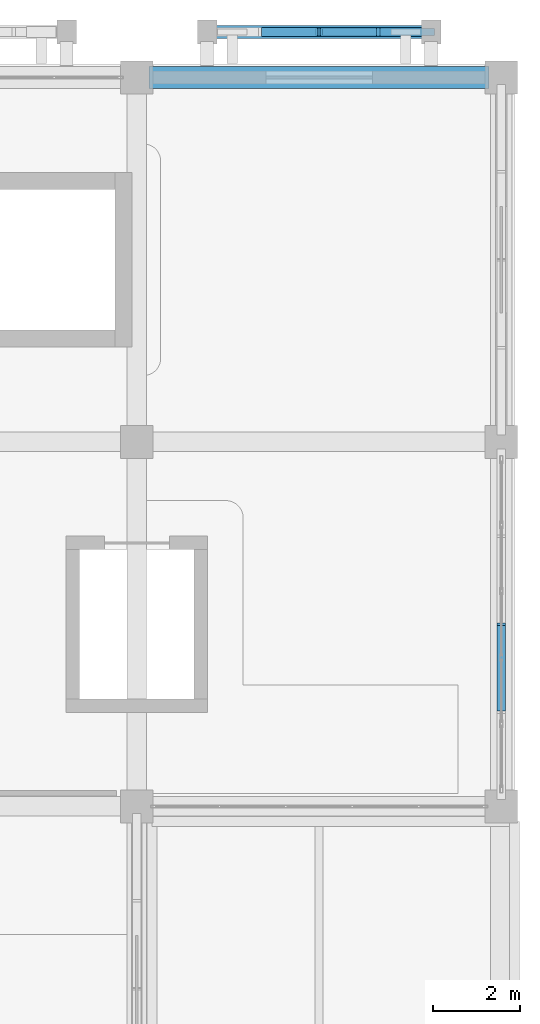
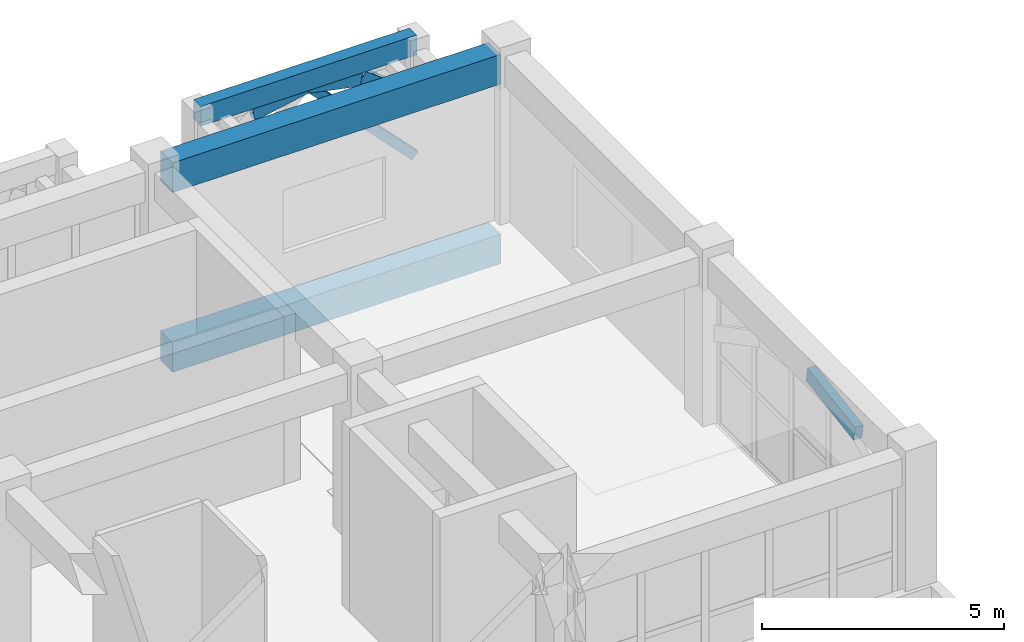
# One storey, part 82 of 114: 5 members, 3 beams.
"""IFC4 building model written with IfcOpenShell, lengths in metres."""

from ifc_helpers import new_model, si_unit, direction, frame, origin, origin_2d, place, context, subcontext, project, spatial, rectangle, extrude, material, material_profile, profile_set, type_object, element, save


model = new_model("IFC4")

# Units and contexts
model_context = context("Model", 3, precision=1e-05, world=origin(), true_north=direction((0.0, 1.0)))
body_context = subcontext(model_context, "Body", "Model", "MODEL_VIEW")
ifc_project = project(units=[si_unit("LENGTHUNIT", "METRE"), si_unit("AREAUNIT", "SQUARE_METRE"), si_unit("VOLUMEUNIT", "CUBIC_METRE"), si_unit("PLANEANGLEUNIT", "RADIAN"), si_unit("MASSUNIT", "GRAM", prefix="KILO")], contexts=[model_context])

# Site, building, storey
site_placement = place(None, origin())
site = spatial("IfcSite", under=ifc_project, at=site_placement, CompositionType="ELEMENT")
building_placement = place(site_placement, origin())
building = spatial("IfcBuilding", under=site, at=building_placement, Name="Xazarin Passage Department Store", CompositionType="ELEMENT")
storey_placement = place(building_placement, frame((0.0, 0.0, 14.39990234375)))
storey = spatial("IfcBuildingStorey", under=building, at=storey_placement, Name="L03", CompositionType="ELEMENT", Elevation=14.39990234375)

# Beams
ifc_material_1 = material(Name="Concrete C35/45", Category="concrete")
ifc_material_profile_1 = material_profile(ifc_material_1, rectangle(XDim=0.300048828125, YDim=0.5, at=origin_2d()), Name="RC 300x500")
ifc_profile_set_1 = profile_set([ifc_material_profile_1], Name="Concrete C35/45")
beam_type_1 = type_object("IfcBeamType", Name="STR-BM-LN300x500", PredefinedType="LINTEL", material=ifc_profile_set_1)
beam_placement = place(storey_placement, frame((137.6201171875, 111.050048828125, 4.25), z_axis=(1.0, 0.0, 0.0), x_axis=(0.0, 1.0, 0.0)))
element("IfcBeam", 1, at=beam_placement, inside=storey, type_object=beam_type_1, Name="L03 V4 Colonnade Spandrel Beam 044", PredefinedType="LINTEL", context=body_context, shape_type="SweptSolid", body=[
    extrude(rectangle(XDim=0.300048828125, YDim=0.5, at=origin_2d()), origin(), (0.0, 0.0, 1.0), 5.159912109375),
])
ifc_material_profile_2 = material_profile(ifc_material_1, rectangle(XDim=0.5, YDim=0.75, at=origin_2d()), Name="RC 500x750")
ifc_profile_set_2 = profile_set([ifc_material_profile_2], Name="Concrete C35/45")
beam_type_2 = type_object("IfcBeamType", Name="STR-BM-SP500x750", PredefinedType="SPANDREL", material=ifc_profile_set_2)
for number, where, z_axis, x_axis, name in (
    (2, (136.280029296875, 110.0, -0.6748046875), (1.0, 0.0, 0.0), (0.0, 1.0, 0.0), "L03 Grid Beam Q/19-20"),
    (3, (136.280029296875, 110.0, 3.864990234375), (1.0, 0.0, 0.0), (0.0, 1.0, 0.0), "L03 Grid Beam Q/19-20"),
):
    element("IfcBeam", number, at=place(storey_placement, frame(where, z_axis=z_axis, x_axis=x_axis)), inside=storey, type_object=beam_type_2, Name=name, PredefinedType="SPANDREL", context=body_context, shape_type="SweptSolid", body=[
        extrude(rectangle(XDim=0.5, YDim=0.75, at=origin_2d()), origin(), (0.0, 0.0, 1.0), 7.840087890625),
    ])

# Members
ifc_material_2 = material(Name="Concrete C40/50", Category="concrete")
ifc_material_profile_3 = material_profile(ifc_material_2, rectangle(XDim=0.199951171875, YDim=0.360107421875, at=origin_2d()), Name="RC 200x360")
ifc_profile_set_3 = profile_set([ifc_material_profile_3], Name="Concrete C40/50")
member_type_1 = type_object("IfcMemberType", Name="STR-MEM-ARC360", PredefinedType="CHORD", material=ifc_profile_set_3)
for number, where, z_axis, x_axis, name in (
    (4, (138.909912109375, 111.050048828125, 3.81640625), (0.979744705887, 0.0, 0.200250621188), (0.0, 1.0, 0.0), "L03 V4 Pierced Lattice Curved Arch 044.2"),
    (5, (140.199951171875, 111.050048828125, 4.080078125), (0.979744705887, 0.0, -0.200250621188), (0.0, 1.0, 0.0), "L03 V4 Pierced Lattice Curved Arch 044.3"),
):
    element("IfcMember", number, at=place(storey_placement, frame(where, z_axis=z_axis, x_axis=x_axis)), inside=storey, type_object=member_type_1, Name=name, PredefinedType="CHORD", context=body_context, shape_type="SweptSolid", body=[
        extrude(rectangle(XDim=0.199951171875, YDim=0.360107421875, at=origin_2d()), origin(), (0.0, 0.0, 1.0), 1.316650390625),
    ])
member_1_placement = place(storey_placement, frame((141.489990234375, 111.050048828125, 3.81640625), z_axis=(0.79440903847, 0.0, -0.607383140692), x_axis=(0.0, 1.0, 0.0)))
element("IfcMember", 6, at=member_1_placement, inside=storey, type_object=member_type_1, Name="L03 V4 Pierced Lattice Curved Arch 044.4", PredefinedType="CHORD", context=body_context, shape_type="SweptSolid", body=[
    extrude(rectangle(XDim=0.199951171875, YDim=0.360107421875, at=origin_2d()), origin(), (0.0, 0.0, 1.0), 1.623779296875),
])
member_2_placement = place(storey_placement, frame((144.39990234375, 95.425048828125, 3.2705078125), z_axis=(0.0, 0.987935652704, 0.154864928623), x_axis=(-1.0, 0.0, 0.0)))
element("IfcMember", 7, at=member_2_placement, inside=storey, type_object=member_type_1, Name="L03 V4 Upper Setback Pierced Arch 051.2", PredefinedType="CHORD", context=body_context, shape_type="SweptSolid", body=[
    extrude(rectangle(XDim=0.199951171875, YDim=0.360107421875, at=origin_2d()), origin(), (0.0, 0.0, 1.0), 1.9990234375),
])
ifc_material_profile_4 = material_profile(ifc_material_2, rectangle(XDim=0.159912109375, YDim=0.219970703125, at=origin_2d()), Name="RC 160x220")
ifc_profile_set_4 = profile_set([ifc_material_profile_4], Name="Concrete C40/50")
member_type_2 = type_object("IfcMemberType", Name="STR-MEM-TRC220", PredefinedType="CHORD", material=ifc_profile_set_4)
member_3_placement = place(storey_placement, frame((140.199951171875, 111.050048828125, 4.080078125), z_axis=(0.693558444435, 0.0, -0.720400363793), x_axis=(0.0, 1.0, 0.0)))
element("IfcMember", 8, at=member_3_placement, inside=storey, type_object=member_type_2, Name="L03 V4 Upper Lattice Tracery Arch 044R", PredefinedType="CHORD", context=body_context, shape_type="SweptSolid", body=[
    extrude(rectangle(XDim=0.159912109375, YDim=0.219970703125, at=origin_2d()), origin(), (0.0, 0.0, 1.0), 3.719970703125),
])

save(model, "model.ifc")
